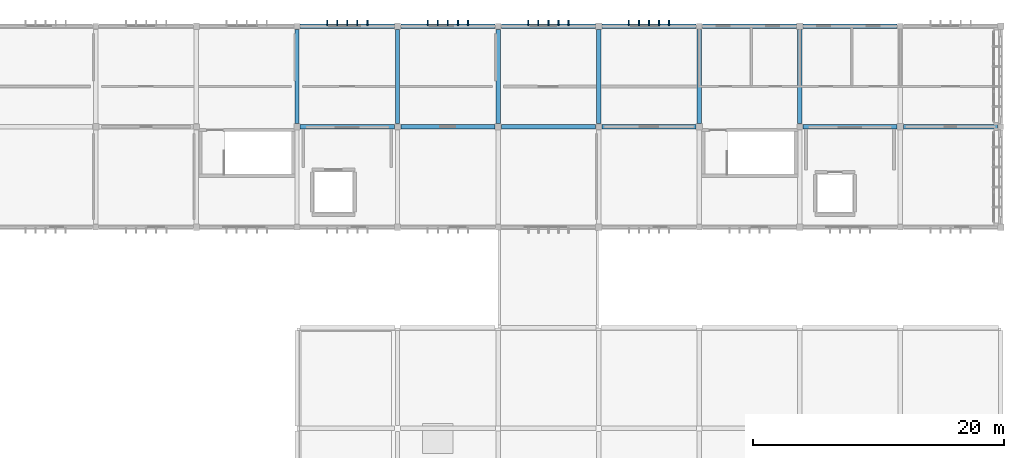
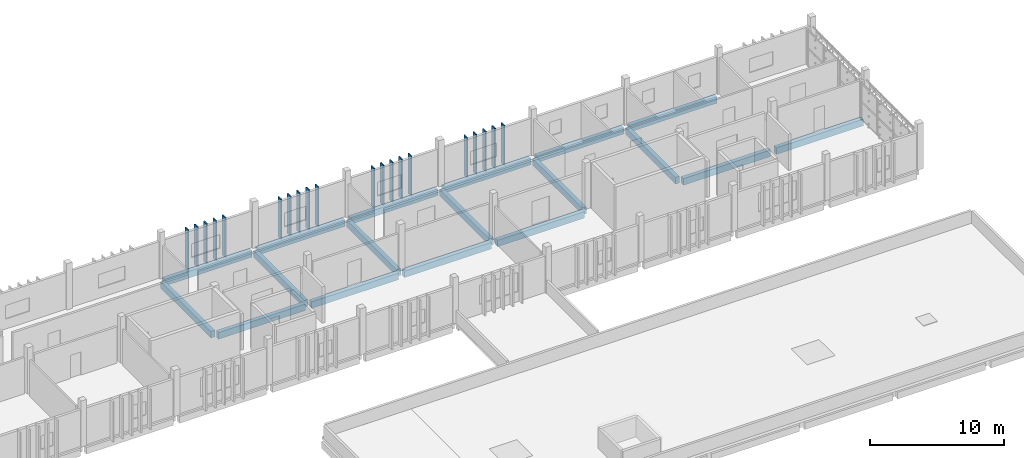
# One storey, part 7 of 16: 20 members, 18 beams.
"""IFC4 building model written with IfcOpenShell, lengths in metres."""

from ifc_helpers import new_model, si_unit, direction, frame, origin, origin_2d, place, context, subcontext, project, spatial, rectangle, extrude, material, material_profile, profile_set, type_object, element, save


model = new_model("IFC4")

# Units and contexts
model_context = context("Model", 3, precision=1e-05, world=origin(), true_north=direction((0.0, 1.0)))
body_context = subcontext(model_context, "Body", "Model", "MODEL_VIEW")
ifc_project = project(units=[si_unit("LENGTHUNIT", "METRE"), si_unit("AREAUNIT", "SQUARE_METRE"), si_unit("VOLUMEUNIT", "CUBIC_METRE"), si_unit("PLANEANGLEUNIT", "RADIAN"), si_unit("MASSUNIT", "GRAM", prefix="KILO")], contexts=[model_context])

# Site, building, storey
site_placement = place(None, origin())
site = spatial("IfcSite", under=ifc_project, at=site_placement, CompositionType="ELEMENT")
building_placement = place(site_placement, origin())
building = spatial("IfcBuilding", under=site, at=building_placement, Name="Jelvoka-Kovrelna Polytechnic", CompositionType="ELEMENT")
storey_placement = place(building_placement, frame((0.0, 0.0, 30.60009765625)))
storey = spatial("IfcBuildingStorey", under=building, at=storey_placement, Name="L08", CompositionType="ELEMENT", Elevation=30.60009765625)

# Beams
ifc_material_1 = material(Name="Concrete C35/45", Category="concrete")
ifc_material_profile_1 = material_profile(ifc_material_1, rectangle(XDim=0.35009765625, YDim=0.60009765625, at=origin_2d()), Name="RC 350x600")
ifc_profile_set_1 = profile_set([ifc_material_profile_1], Name="Concrete C35/45")
beam_type_1 = type_object("IfcBeamType", Name="Beam_RC_350x600", PredefinedType="BEAM", material=ifc_profile_set_1)
for number, where, z_axis, x_axis, name in (
    (1, (128.2548828125, 64.0, -0.525146484375), (1.0, 0.0, 0.0), (0.0, 1.0, 0.0), "L08 beam 1949"),
    (2, (136.2548828125, 64.0, -0.525146484375), (1.0, 0.0, 0.0), (0.0, 1.0, 0.0), "L08 beam 1950"),
    (3, (144.2548828125, 64.0, -0.525146484375), (1.0, 0.0, 0.0), (0.0, 1.0, 0.0), "L08 beam 1951"),
    (4, (152.2548828125, 64.0, -0.525146484375), (1.0, 0.0, 0.0), (0.0, 1.0, 0.0), "L08 beam 1952"),
    (5, (168.2548828125, 64.0, -0.525146484375), (1.0, 0.0, 0.0), (0.0, 1.0, 0.0), "L08 beam 1953"),
    (6, (176.2548828125, 64.0, -0.525146484375), (1.0, 0.0, 0.0), (0.0, 1.0, 0.0), "L08 beam 1954"),
    (7, (128.0, 64.2548828125, -0.525146484375), (0.0, 1.0, 0.0), (-1.0, 0.0, 0.0), "L08 beam 1967"),
    (8, (136.0, 64.2548828125, -0.525146484375), (0.0, 1.0, 0.0), (-1.0, 0.0, 0.0), "L08 beam 1969"),
    (9, (144.0, 64.2548828125, -0.525146484375), (0.0, 1.0, 0.0), (-1.0, 0.0, 0.0), "L08 beam 1971"),
    (10, (152.0, 64.2548828125, -0.525146484375), (0.0, 1.0, 0.0), (-1.0, 0.0, 0.0), "L08 beam 1973"),
    (11, (160.0, 64.2548828125, -0.525146484375), (0.0, 1.0, 0.0), (-1.0, 0.0, 0.0), "L08 beam 1975"),
    (12, (168.0, 64.2548828125, -0.525146484375), (0.0, 1.0, 0.0), (-1.0, 0.0, 0.0), "L08 beam 1977"),
):
    element("IfcBeam", number, at=place(storey_placement, frame(where, z_axis=z_axis, x_axis=x_axis)), inside=storey, type_object=beam_type_1, Name=name, PredefinedType="BEAM", context=body_context, shape_type="SweptSolid", body=[
        extrude(rectangle(XDim=0.35009765625, YDim=0.60009765625, at=origin_2d()), origin(), (0.0, 0.0, 1.0), 7.490234375),
    ])

# Members
ifc_material_2 = material(Name="Precast concrete C40/50", Category="concrete")
ifc_material_profile_2 = material_profile(ifc_material_2, rectangle(XDim=0.10009765625, YDim=0.449951171875, at=origin_2d()), Name="PC 100x450")
ifc_profile_set_2 = profile_set([ifc_material_profile_2], Name="Precast concrete C40/50")
member_type = type_object("IfcMemberType", Name="Louvre_Fin_100x450", PredefinedType="USERDEFINED", material=ifc_profile_set_2)
for number, where, z_axis, x_axis, name in (
    (13, (130.39990234375, 72.264892578125, -0.27001953125), (0.0, 0.0, 1.0), (1.0, 0.0, 0.0), "L08 B3 north vertical solar louvre fin 2301"),
    (14, (131.199951171875, 72.264892578125, -0.27001953125), (0.0, 0.0, 1.0), (1.0, 0.0, 0.0), "L08 B3 north vertical solar louvre fin 2302"),
    (15, (132.0, 72.264892578125, -0.27001953125), (0.0, 0.0, 1.0), (1.0, 0.0, 0.0), "L08 B3 north vertical solar louvre fin 2303"),
    (16, (132.800048828125, 72.264892578125, -0.27001953125), (0.0, 0.0, 1.0), (1.0, 0.0, 0.0), "L08 B3 north vertical solar louvre fin 2304"),
    (17, (133.60009765625, 72.264892578125, -0.27001953125), (0.0, 0.0, 1.0), (1.0, 0.0, 0.0), "L08 B3 north vertical solar louvre fin 2305"),
    (18, (138.39990234375, 72.264892578125, -0.27001953125), (0.0, 0.0, 1.0), (1.0, 0.0, 0.0), "L08 B3 north vertical solar louvre fin 2311"),
    (19, (139.199951171875, 72.264892578125, -0.27001953125), (0.0, 0.0, 1.0), (1.0, 0.0, 0.0), "L08 B3 north vertical solar louvre fin 2312"),
    (20, (140.0, 72.264892578125, -0.27001953125), (0.0, 0.0, 1.0), (1.0, 0.0, 0.0), "L08 B3 north vertical solar louvre fin 2313"),
    (21, (140.800048828125, 72.264892578125, -0.27001953125), (0.0, 0.0, 1.0), (1.0, 0.0, 0.0), "L08 B3 north vertical solar louvre fin 2314"),
    (22, (141.60009765625, 72.264892578125, -0.27001953125), (0.0, 0.0, 1.0), (1.0, 0.0, 0.0), "L08 B3 north vertical solar louvre fin 2315"),
    (23, (146.39990234375, 72.264892578125, -0.27001953125), (0.0, 0.0, 1.0), (1.0, 0.0, 0.0), "L08 B3 north vertical solar louvre fin 2321"),
    (24, (147.199951171875, 72.264892578125, -0.27001953125), (0.0, 0.0, 1.0), (1.0, 0.0, 0.0), "L08 B3 north vertical solar louvre fin 2322"),
    (25, (148.0, 72.264892578125, -0.27001953125), (0.0, 0.0, 1.0), (1.0, 0.0, 0.0), "L08 B3 north vertical solar louvre fin 2323"),
    (26, (148.800048828125, 72.264892578125, -0.27001953125), (0.0, 0.0, 1.0), (1.0, 0.0, 0.0), "L08 B3 north vertical solar louvre fin 2324"),
    (27, (149.60009765625, 72.264892578125, -0.27001953125), (0.0, 0.0, 1.0), (1.0, 0.0, 0.0), "L08 B3 north vertical solar louvre fin 2325"),
    (28, (154.39990234375, 72.264892578125, -0.27001953125), (0.0, 0.0, 1.0), (1.0, 0.0, 0.0), "L08 B3 north vertical solar louvre fin 2331"),
    (29, (155.199951171875, 72.264892578125, -0.27001953125), (0.0, 0.0, 1.0), (1.0, 0.0, 0.0), "L08 B3 north vertical solar louvre fin 2332"),
    (30, (156.0, 72.264892578125, -0.27001953125), (0.0, 0.0, 1.0), (1.0, 0.0, 0.0), "L08 B3 north vertical solar louvre fin 2333"),
    (31, (156.800048828125, 72.264892578125, -0.27001953125), (0.0, 0.0, 1.0), (1.0, 0.0, 0.0), "L08 B3 north vertical solar louvre fin 2334"),
    (32, (157.60009765625, 72.264892578125, -0.27001953125), (0.0, 0.0, 1.0), (1.0, 0.0, 0.0), "L08 B3 north vertical solar louvre fin 2335"),
):
    element("IfcMember", number, at=place(storey_placement, frame(where, z_axis=z_axis, x_axis=x_axis)), inside=storey, type_object=member_type, Name=name, ObjectType="SUNSHADE", PredefinedType="USERDEFINED", context=body_context, shape_type="SweptSolid", body=[
        extrude(rectangle(XDim=0.10009765625, YDim=0.449951171875, at=origin_2d()), origin(), (0.0, 0.0, 1.0), 3.655029296875),
    ])

# Beams
ifc_material_3 = material(Name="Concrete C40/50", Category="concrete")
ifc_material_profile_3 = material_profile(ifc_material_3, rectangle(XDim=0.35009765625, YDim=0.60009765625, at=origin_2d()), Name="RC 350x600")
ifc_profile_set_3 = profile_set([ifc_material_profile_3], Name="Concrete C40/50")
beam_type_2 = type_object("IfcBeamType", Name="Spandrel_RC_350x600", PredefinedType="SPANDREL", material=ifc_profile_set_3)
for number, where, z_axis, x_axis, name in (
    (33, (128.2548828125, 72.0, -0.525146484375), (1.0, 0.0, 0.0), (0.0, 1.0, 0.0), "L08 beam 1957"),
    (34, (136.2548828125, 72.0, -0.525146484375), (1.0, 0.0, 0.0), (0.0, 1.0, 0.0), "L08 beam 1958"),
    (35, (144.2548828125, 72.0, -0.525146484375), (1.0, 0.0, 0.0), (0.0, 1.0, 0.0), "L08 beam 1959"),
    (36, (152.2548828125, 72.0, -0.525146484375), (1.0, 0.0, 0.0), (0.0, 1.0, 0.0), "L08 beam 1960"),
    (37, (160.2548828125, 72.0, -0.525146484375), (1.0, 0.0, 0.0), (0.0, 1.0, 0.0), "L08 beam 1961"),
    (38, (168.2548828125, 72.0, -0.525146484375), (1.0, 0.0, 0.0), (0.0, 1.0, 0.0), "L08 beam 1962"),
):
    element("IfcBeam", number, at=place(storey_placement, frame(where, z_axis=z_axis, x_axis=x_axis)), inside=storey, type_object=beam_type_2, Name=name, PredefinedType="SPANDREL", context=body_context, shape_type="SweptSolid", body=[
        extrude(rectangle(XDim=0.35009765625, YDim=0.60009765625, at=origin_2d()), origin(), (0.0, 0.0, 1.0), 7.490234375),
    ])

save(model, "model.ifc")
